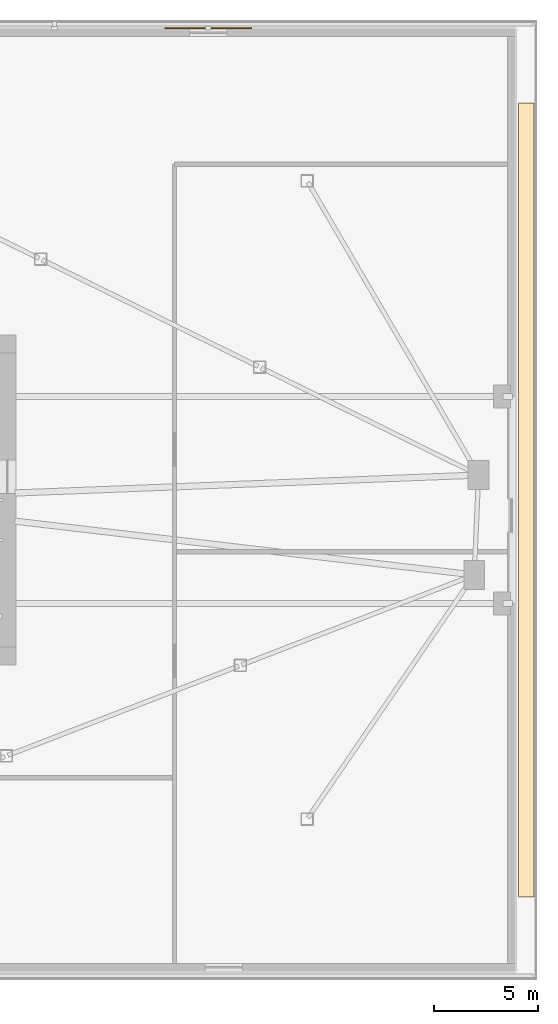
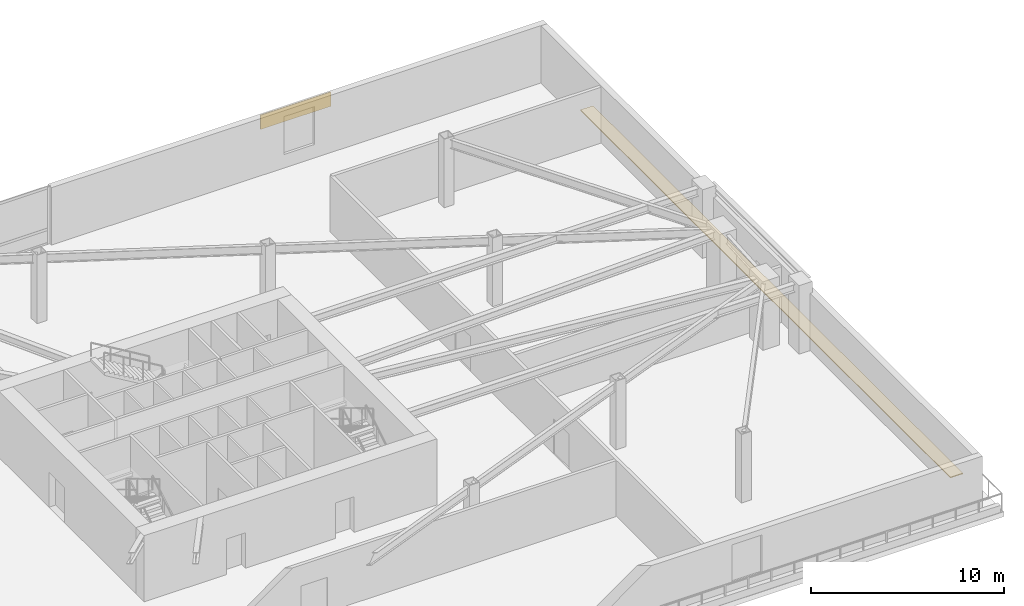
# One storey, part 16 of 16: 2 coverings.
"""IFC4 building model written with IfcOpenShell, lengths in metres."""

from ifc_helpers import new_model, si_unit, direction, frame, origin, origin_2d, place, context, subcontext, project, spatial, polyline, rectangle, outline, extrude, source, transform, mapped, material, layer, layer_set, type_object, element, save


model = new_model("IFC4")

# Units and contexts
model_context = context("Model", 3, precision=1e-05, world=origin(), true_north=direction((0.0, 1.0)))
body_context = subcontext(model_context, "Body", "Model", "MODEL_VIEW")
ifc_project = project(units=[si_unit("LENGTHUNIT", "METRE"), si_unit("AREAUNIT", "SQUARE_METRE"), si_unit("VOLUMEUNIT", "CUBIC_METRE"), si_unit("PLANEANGLEUNIT", "RADIAN"), si_unit("MASSUNIT", "GRAM", prefix="KILO")], contexts=[model_context])

# Site, building, storey
site_placement = place(None, origin())
site = spatial("IfcSite", under=ifc_project, at=site_placement, CompositionType="ELEMENT")
building_placement = place(site_placement, origin())
building = spatial("IfcBuilding", under=site, at=building_placement, Name="Olszyna Solenne Hotel", CompositionType="ELEMENT")
storey_placement = place(building_placement, frame((0.0, 0.0, 15.60009765625)))
storey = spatial("IfcBuildingStorey", under=building, at=storey_placement, Name="L03", CompositionType="ELEMENT", Elevation=15.60009765625)

# Coverings
ifc_material_1 = material(Name="EPDM waterproofing membrane")
ifc_layer_1 = layer(ifc_material_1, 0.06005859375, Name="EPDM waterproofing membrane")
ifc_layer_set_1 = layer_set([ifc_layer_1], Name="EPDM waterproofing membrane")
covering_type_1 = type_object("IfcCoveringType", Name="RF-MB1", PredefinedType="ROOFING", material=ifc_layer_set_1)
covering_1_placement = place(storey_placement, origin())
element("IfcCovering", 1, at=covering_1_placement, inside=storey, type_object=covering_type_1, Name="Terrace waterproofing membrane build-up RFM-L03", PredefinedType="ROOFING", context=body_context, shape_type="SweptSolid", body=[
    extrude(outline(polyline([(71.0, 7.43994140625), (71.75, 7.43994140625), (71.75, 45.760009765625), (71.0, 45.760009765625), (71.0, 7.43994140625)])), origin(), (0.0, 0.0, 1.0), 0.059814453125),
])
ifc_material_2 = material(Name="Terracotta cladding", Category="masonry")
ifc_layer_2 = layer(ifc_material_2, 0.054931640625, Name="Terracotta cladding")
ifc_layer_set_2 = layer_set([ifc_layer_2], Name="Terracotta cladding")
covering_type_2 = type_object("IfcCoveringType", Name="CD-TC1", PredefinedType="CLADDING", material=ifc_layer_set_2)
shared_shape = source(origin(), body_context, "Body", "SweptSolid", [
    extrude(rectangle(XDim=4.199951171875, YDim=0.054931640625, at=origin_2d()), origin(), (0.0, 0.0, 1.0), 0.89990234375),
])
covering_2_placement = place(storey_placement, frame((56.02490234375, 49.362548828125, 2.6220703125), z_axis=(0.0, 0.0, 1.0), x_axis=(1.0, 0.0, 0.0)))
element("IfcCovering", 2, at=covering_2_placement, inside=storey, type_object=covering_type_2, Name="Fluted terracotta rainscreen band CD-L03-NE", PredefinedType="CLADDING", context=body_context, shape_type="MappedRepresentation", body=[
    mapped(shared_shape, transform((0.0, 0.0, 0.0), x_axis=(1.0, 0.0, 0.0), y_axis=(0.0, 1.0, 0.0), z_axis=(0.0, 0.0, 1.0), scale=1.0)),
])

save(model, "model.ifc")
